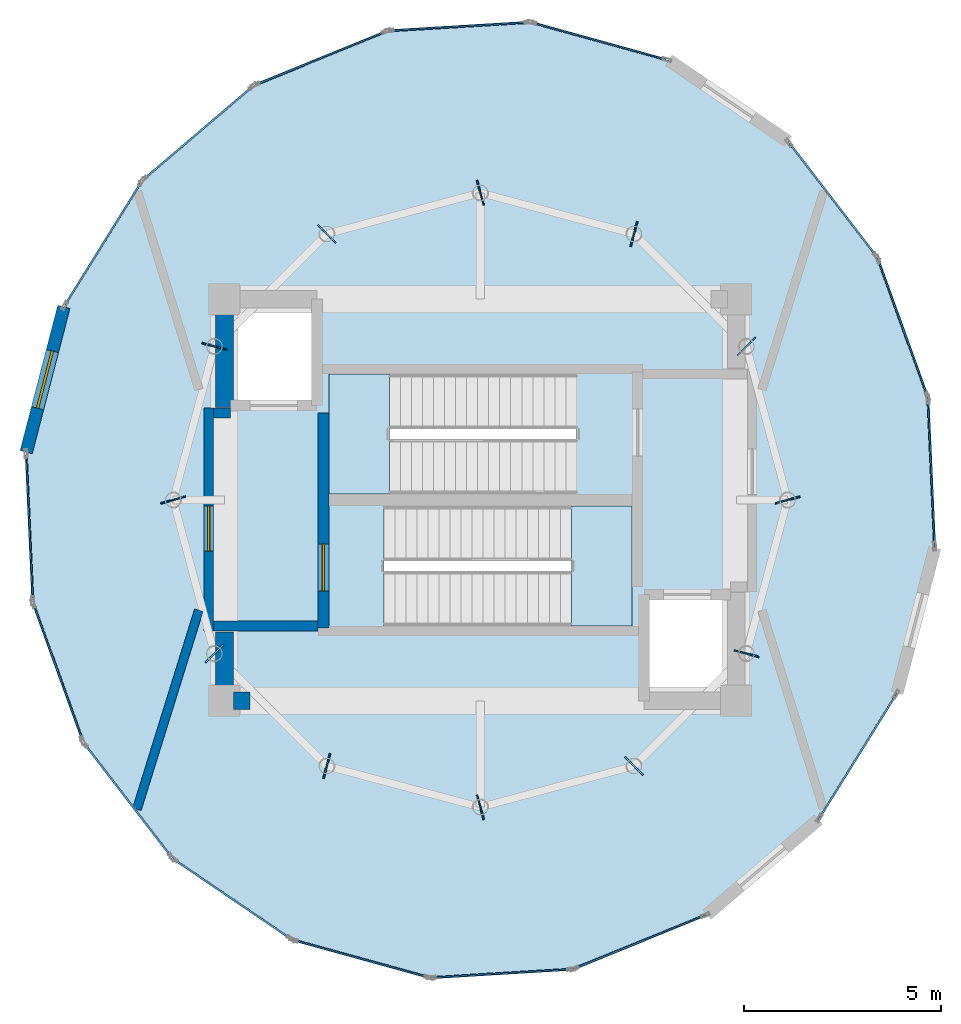
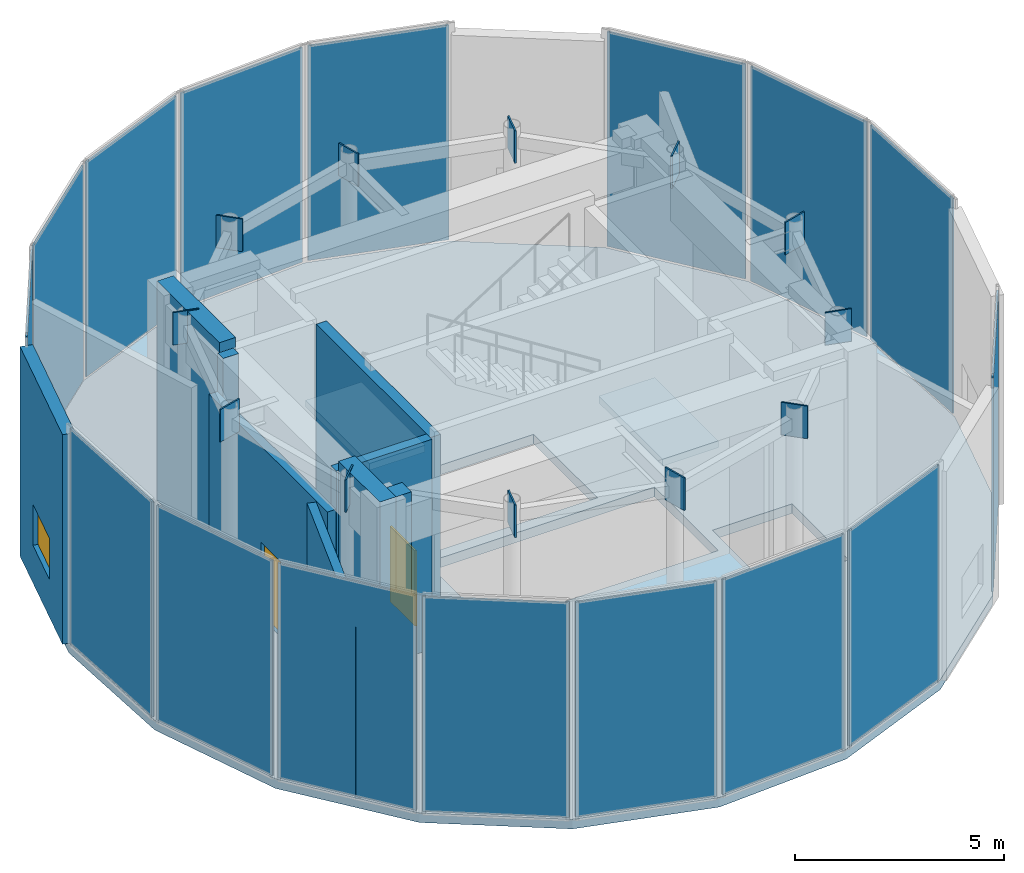
# One storey, part 7 of 9: 28 plates, 9 walls, 3 slabs, 2 doors, 1 window, 3 openings, 18 elements without a shape of their own.
"""IFC4 building model written with IfcOpenShell, lengths in metres."""

from ifc_helpers import new_model, si_unit, direction, frame, frame_2d, origin, origin_2d, place, context, subcontext, project, spatial, polyline, rectangle, outline, extrude, source, transform, mapped, material, layer, layer_set, type_object, element, fill, aggregate, save


model = new_model("IFC4")

# Units and contexts
model_context = context("Model", 3, precision=1e-05, world=origin(), true_north=direction((0.0, 1.0)))
body_context = subcontext(model_context, "Body", "Model", "MODEL_VIEW")
ifc_project = project(units=[si_unit("LENGTHUNIT", "METRE"), si_unit("AREAUNIT", "SQUARE_METRE"), si_unit("VOLUMEUNIT", "CUBIC_METRE"), si_unit("PLANEANGLEUNIT", "RADIAN"), si_unit("MASSUNIT", "GRAM", prefix="KILO")], contexts=[model_context])

# Site, building, storey
site_placement = place(None, origin())
site = spatial("IfcSite", under=ifc_project, at=site_placement, CompositionType="ELEMENT")
building_placement = place(site_placement, origin())
building = spatial("IfcBuilding", under=site, at=building_placement, Name="Solvirekh Grand Hotel", CompositionType="ELEMENT")
storey_placement = place(building_placement, frame((0.0, 0.0, 314.60009765625)))
storey = spatial("IfcBuildingStorey", under=building, at=storey_placement, Name="L80", CompositionType="ELEMENT", Elevation=314.60009765625)

# Stair, slab
ifc_material_1 = material(Name="Concrete C40/50", Category="concrete")
stair_type = type_object("IfcStairType", Name="Stair_Core_1450", PredefinedType="HALF_TURN_STAIR", material=ifc_material_1)
stair_1_placement = place(storey_placement, origin())
stair_1 = element("IfcStair", 1, at=stair_1_placement, inside=storey, type_object=stair_type, Name="L80 Enclosed exit stair ST-1", PredefinedType="HALF_TURN_STAIR")
ifc_layer_1 = layer(ifc_material_1, 0.199951171875)
ifc_layer_set_1 = layer_set([ifc_layer_1], Name="Concrete C40/50")
slab_type_1 = type_object("IfcSlabType", Name="Landing_Stair_200", PredefinedType="LANDING", material=ifc_layer_set_1)
slab_1_placement = place(storey_placement, frame((0.0, 0.0, 3.0)))
slab_1 = element("IfcSlab", 2, at=slab_1_placement, type_object=slab_type_1, Name="ST-1 landing 1", PredefinedType="LANDING", context=body_context, shape_type="SweptSolid", body=[
    extrude(outline(polyline([(2.31005859375, -3.199951171875), (3.85009765625, -3.199951171875), (3.85009765625, -0.14990234375), (2.31005859375, -0.14990234375), (2.31005859375, -3.199951171875)])), origin(), (0.0, 0.0, 1.0), 0.199951171875),
])
aggregate(stair_1, [slab_1])

stair_2_placement = place(storey_placement, origin())
stair_2 = element("IfcStair", 3, at=stair_2_placement, inside=storey, type_object=stair_type, Name="L80 Enclosed exit stair ST-2", PredefinedType="HALF_TURN_STAIR")
slab_2_placement = place(storey_placement, frame((0.0, 0.0, 3.0)))
slab_2 = element("IfcSlab", 4, at=slab_2_placement, type_object=slab_type_1, Name="ST-2 landing 1", PredefinedType="LANDING", context=body_context, shape_type="SweptSolid", body=[
    extrude(outline(polyline([(-2.31005859375, 3.199951171875), (-3.85009765625, 3.199951171875), (-3.85009765625, 0.14990234375), (-2.31005859375, 0.14990234375), (-2.31005859375, 3.199951171875)])), origin(), (0.0, 0.0, 1.0), 0.199951171875),
])
aggregate(stair_2, [slab_2])

# Plates
ifc_material_2 = material(Name="Steel S355", Category="steel")
ifc_layer_2 = layer(ifc_material_2, 0.0400390625)
ifc_layer_set_2 = layer_set([ifc_layer_2], Name="Steel S355")
plate_type_1 = type_object("IfcPlateType", Name="NodeCapPlate_40", PredefinedType="SHEET", material=ifc_layer_set_2)
for number, where, z_axis, x_axis, name in (
    (5, (7.800048828125, 0.0, 5.4697265625), (0.0, 0.0, 1.0), (-0.258819045103, 0.965925826289, 0.0), "L80 hollow-section node plate NP-L80-SP01"),
    (6, (6.7548828125, 3.89990234375, 5.4697265625), (0.0, 0.0, 1.0), (-0.707106781187, 0.707106781187, 0.0), "L80 hollow-section node plate NP-L80-SP02"),
    (7, (3.89990234375, 6.7548828125, 5.4697265625), (0.0, 0.0, 1.0), (-0.965925826289, 0.258819045103, 0.0), "L80 hollow-section node plate NP-L80-SP03"),
    (8, (0.0, 7.800048828125, 5.4697265625), (0.0, 0.0, 1.0), (-0.965925826289, -0.258819045103, 0.0), "L80 hollow-section node plate NP-L80-SP04"),
    (9, (-3.89990234375, 6.7548828125, 5.4697265625), (0.0, 0.0, 1.0), (-0.707106781187, -0.707106781187, 0.0), "L80 hollow-section node plate NP-L80-SP05"),
    (10, (-6.7548828125, 3.89990234375, 5.4697265625), (0.0, 0.0, 1.0), (-0.258819045103, -0.965925826289, 0.0), "L80 hollow-section node plate NP-L80-SP06"),
    (11, (-7.800048828125, 0.0, 5.4697265625), (0.0, 0.0, 1.0), (0.258819045103, -0.965925826289, 0.0), "L80 hollow-section node plate NP-L80-SP07"),
    (12, (-6.7548828125, -3.89990234375, 5.4697265625), (0.0, 0.0, 1.0), (0.707106781187, -0.707106781187, 0.0), "L80 hollow-section node plate NP-L80-SP08"),
    (13, (-3.89990234375, -6.7548828125, 5.4697265625), (0.0, 0.0, 1.0), (0.965925826289, -0.258819045103, 0.0), "L80 hollow-section node plate NP-L80-SP09"),
    (14, (0.0, -7.800048828125, 5.4697265625), (0.0, 0.0, 1.0), (0.965925826289, 0.258819045103, 0.0), "L80 hollow-section node plate NP-L80-SP10"),
    (15, (3.89990234375, -6.7548828125, 5.4697265625), (0.0, 0.0, 1.0), (0.707106781187, 0.707106781187, 0.0), "L80 hollow-section node plate NP-L80-SP11"),
    (16, (6.7548828125, -3.89990234375, 5.4697265625), (0.0, 0.0, 1.0), (0.258819045103, 0.965925826289, 0.0), "L80 hollow-section node plate NP-L80-SP12"),
):
    element("IfcPlate", number, at=place(storey_placement, frame(where, z_axis=z_axis, x_axis=x_axis)), inside=storey, type_object=plate_type_1, Name=name, PredefinedType="SHEET", context=body_context, shape_type="SweptSolid", body=[
        extrude(rectangle(XDim=0.0400390625, YDim=0.64990234375, at=origin_2d()), origin(), (0.0, 0.0, 1.0), 0.949951171875),
    ])

# Slab
ifc_layer_3 = layer(ifc_material_1, 0.280029296875)
ifc_layer_set_3 = layer_set([ifc_layer_3], Name="Concrete C40/50")
slab_type_2 = type_object("IfcSlabType", Name="Slab_Crown_280", PredefinedType="FLOOR", material=ifc_layer_set_3)
slab_3_placement = place(storey_placement, frame((0.0, 0.0, -0.280029296875)))
element("IfcSlab", 17, at=slab_3_placement, inside=storey, type_object=slab_type_2, Name="L80 structural floor slab", PredefinedType="FLOOR", context=body_context, shape_type="SweptSolid", body=[
    extrude(outline(polyline([(-1.27490234375, -12.133056640625), (2.35205078125, -11.9140625), (5.7490234375, -10.529052734375), (8.583984375, -8.113037109375), (10.577880859375, -4.903076171875), (11.535888671875, -1.212890625), (11.365966796875, 2.595947265625), (10.0830078125, 6.15087890625), (7.81298828125, 9.10302734375), (4.778076171875, 11.1650390625), (1.27490234375, 12.133056640625), (-2.35205078125, 11.9140625), (-5.7490234375, 10.529052734375), (-8.583984375, 8.113037109375), (-10.577880859375, 4.903076171875), (-11.535888671875, 1.212890625), (-11.365966796875, -2.595947265625), (-10.0830078125, -6.15087890625), (-7.81298828125, -9.10302734375), (-4.778076171875, -11.1650390625), (-1.27490234375, -12.133056640625)]), holes=[polyline([(-2.444091796875, -0.14990234375), (3.85009765625, -0.14990234375), (3.85009765625, -3.199951171875), (-2.444091796875, -3.199951171875), (-2.444091796875, -0.14990234375)]), polyline([(2.444091796875, 0.14990234375), (-3.85009765625, 0.14990234375), (-3.85009765625, 3.199951171875), (2.444091796875, 3.199951171875), (2.444091796875, 0.14990234375)]), polyline([(-6.35009765625, 5.10009765625), (-4.14990234375, 5.10009765625), (-4.14990234375, 2.39990234375), (-6.35009765625, 2.39990234375), (-6.35009765625, 5.10009765625)]), polyline([(4.14990234375, -2.39990234375), (6.35009765625, -2.39990234375), (6.35009765625, -5.10009765625), (4.14990234375, -5.10009765625), (4.14990234375, -2.39990234375)])]), origin(), (0.0, 0.0, 1.0), 0.280029296875),
])

# Curtain wall, plate
ifc_material_3 = material(Name="Anodized Bronze Aluminium 6063-T6", Category="aluminium")
ifc_layer_4 = layer(ifc_material_3, 0.219970703125)
ifc_layer_set_4 = layer_set([ifc_layer_4], Name="Anodized Bronze Aluminium 6063-T6")
curtain_wall_type = type_object("IfcCurtainWallType", Name="CW_Sys6_CrownFacetedPointCW", PredefinedType="NOTDEFINED", material=ifc_layer_set_4)
curtain_wall_1_placement = place(storey_placement, origin())
curtain_wall_1 = element("IfcCurtainWall", 18, at=curtain_wall_1_placement, inside=storey, type_object=curtain_wall_type, Name="L80 unitised bronze-glass curtain wall CW-L80-C01", PredefinedType="NOTDEFINED")
ifc_material_4 = material(Name="Champagne Low-Iron Crown Laminated Glass", Category="glass")
ifc_layer_5 = layer(ifc_material_4, 0.0458984375)
ifc_layer_set_5 = layer_set([ifc_layer_5], Name="Champagne Low-Iron Crown Laminated Glass")
plate_type_2 = type_object("IfcPlateType", Name="CWPanel_Crown_46", PredefinedType="CURTAIN_PANEL", material=ifc_layer_set_5)
shared_shape_1 = source(origin(), body_context, "Body", "SweptSolid", [
    extrude(rectangle(XDim=3.483642578125, YDim=0.0458984375, at=origin_2d()), origin(), (0.0, 0.0, 1.0), 6.27001953125),
])
plate_1_placement = place(storey_placement, frame((0.53857421875, -12.0234375, 0.06494140625), z_axis=(0.0, 0.0, 1.0), x_axis=(0.998182068191, 0.060270712136, 0.0)))
plate_1 = element("IfcPlate", 19, at=plate_1_placement, type_object=plate_type_2, Name="U06 panel 1.1", PredefinedType="CURTAIN_PANEL", context=body_context, shape_type="MappedRepresentation", body=[
    mapped(shared_shape_1, transform((0.0, 0.0, 0.0), x_axis=(1.0, 0.0, 0.0), y_axis=(0.0, 1.0, 0.0), z_axis=(0.0, 0.0, 1.0), scale=1.0)),
])
aggregate(curtain_wall_1, [plate_1])

curtain_wall_2_placement = place(storey_placement, origin())
curtain_wall_2 = element("IfcCurtainWall", 20, at=curtain_wall_2_placement, inside=storey, type_object=curtain_wall_type, Name="L80 unitised bronze-glass curtain wall CW-L80-C11", PredefinedType="NOTDEFINED")
plate_2_placement = place(storey_placement, frame((-0.53857421875, 12.0234375, 0.06494140625), z_axis=(0.0, 0.0, 1.0), x_axis=(-0.998182068191, -0.060270712136, 0.0)))
plate_2 = element("IfcPlate", 21, at=plate_2_placement, type_object=plate_type_2, Name="U06 panel 1.1", PredefinedType="CURTAIN_PANEL", context=body_context, shape_type="MappedRepresentation", body=[
    mapped(shared_shape_1, transform((0.0, 0.0, 0.0), x_axis=(1.0, 0.0, 0.0), y_axis=(0.0, 1.0, 0.0), z_axis=(0.0, 0.0, 1.0), scale=1.0)),
])
aggregate(curtain_wall_2, [plate_2])

curtain_wall_3_placement = place(storey_placement, origin())
curtain_wall_3 = element("IfcCurtainWall", 22, at=curtain_wall_3_placement, inside=storey, type_object=curtain_wall_type, Name="L80 unitised bronze-glass curtain wall CW-L80-C02", PredefinedType="NOTDEFINED")
shared_shape_2 = source(origin(), body_context, "Body", "SweptSolid", [
    extrude(rectangle(XDim=3.5185546875, YDim=0.0458984375, at=origin_2d()), origin(), (0.0, 0.0, 1.0), 6.27001953125),
])
plate_3_placement = place(storey_placement, frame((4.050537109375, -11.221435546875, 0.06494140625), z_axis=(0.0, 0.0, 1.0), x_axis=(0.92599355368, 0.377539320526, 0.0)))
plate_3 = element("IfcPlate", 23, at=plate_3_placement, type_object=plate_type_2, Name="U06 panel 1.1", PredefinedType="CURTAIN_PANEL", context=body_context, shape_type="MappedRepresentation", body=[
    mapped(shared_shape_2, transform((0.0, 0.0, 0.0), x_axis=(1.0, 0.0, 0.0), y_axis=(0.0, 1.0, 0.0), z_axis=(0.0, 0.0, 1.0), scale=1.0)),
])
aggregate(curtain_wall_3, [plate_3])

curtain_wall_4_placement = place(storey_placement, origin())
curtain_wall_4 = element("IfcCurtainWall", 24, at=curtain_wall_4_placement, inside=storey, type_object=curtain_wall_type, Name="L80 unitised bronze-glass curtain wall CW-L80-C12", PredefinedType="NOTDEFINED")
plate_4_placement = place(storey_placement, frame((-4.050537109375, 11.221435546875, 0.06494140625), z_axis=(0.0, 0.0, 1.0), x_axis=(-0.92599355368, -0.377539320526, 0.0)))
plate_4 = element("IfcPlate", 25, at=plate_4_placement, type_object=plate_type_2, Name="U06 panel 1.1", PredefinedType="CURTAIN_PANEL", context=body_context, shape_type="MappedRepresentation", body=[
    mapped(shared_shape_2, transform((0.0, 0.0, 0.0), x_axis=(1.0, 0.0, 0.0), y_axis=(0.0, 1.0, 0.0), z_axis=(0.0, 0.0, 1.0), scale=1.0)),
])
aggregate(curtain_wall_4, [plate_4])

curtain_wall_5_placement = place(storey_placement, origin())
curtain_wall_5 = element("IfcCurtainWall", 26, at=curtain_wall_5_placement, inside=storey, type_object=curtain_wall_type, Name="L80 unitised bronze-glass curtain wall CW-L80-C04", PredefinedType="NOTDEFINED")
shared_shape_3 = source(origin(), body_context, "Body", "SweptSolid", [
    extrude(rectangle(XDim=3.62890625, YDim=0.0458984375, at=origin_2d()), origin(), (0.0, 0.0, 1.0), 6.27001953125),
])
plate_5_placement = place(storey_placement, frame((9.5810546875, -6.508056640625, 0.06494140625), z_axis=(0.0, 0.0, 1.0), x_axis=(0.527665842961, 0.849452034062, 0.0)))
plate_5 = element("IfcPlate", 27, at=plate_5_placement, type_object=plate_type_2, Name="U06 panel 1.1", PredefinedType="CURTAIN_PANEL", context=body_context, shape_type="MappedRepresentation", body=[
    mapped(shared_shape_3, transform((0.0, 0.0, 0.0), x_axis=(1.0, 0.0, 0.0), y_axis=(0.0, 1.0, 0.0), z_axis=(0.0, 0.0, 1.0), scale=1.0)),
])
aggregate(curtain_wall_5, [plate_5])

curtain_wall_6_placement = place(storey_placement, origin())
curtain_wall_6 = element("IfcCurtainWall", 28, at=curtain_wall_6_placement, inside=storey, type_object=curtain_wall_type, Name="L80 unitised bronze-glass curtain wall CW-L80-C14", PredefinedType="NOTDEFINED")
plate_6_placement = place(storey_placement, frame((-9.5810546875, 6.508056640625, 0.06494140625), z_axis=(0.0, 0.0, 1.0), x_axis=(-0.527665842961, -0.849452034062, 0.0)))
plate_6 = element("IfcPlate", 29, at=plate_6_placement, type_object=plate_type_2, Name="U06 panel 1.1", PredefinedType="CURTAIN_PANEL", context=body_context, shape_type="MappedRepresentation", body=[
    mapped(shared_shape_3, transform((0.0, 0.0, 0.0), x_axis=(1.0, 0.0, 0.0), y_axis=(0.0, 1.0, 0.0), z_axis=(0.0, 0.0, 1.0), scale=1.0)),
])
aggregate(curtain_wall_6, [plate_6])

curtain_wall_7_placement = place(storey_placement, origin())
curtain_wall_7 = element("IfcCurtainWall", 30, at=curtain_wall_7_placement, inside=storey, type_object=curtain_wall_type, Name="L80 unitised bronze-glass curtain wall CW-L80-C06", PredefinedType="NOTDEFINED")
shared_shape_4 = source(origin(), body_context, "Body", "SweptSolid", [
    extrude(rectangle(XDim=3.662841796875, YDim=0.0458984375, at=origin_2d()), origin(), (0.0, 0.0, 1.0), 6.27001953125),
])
plate_7_placement = place(storey_placement, frame((11.450927734375, 0.69140625, 0.06494140625), z_axis=(0.0, 0.0, 1.0), x_axis=(-0.044586751848, 0.999005516281, 0.0)))
plate_7 = element("IfcPlate", 31, at=plate_7_placement, type_object=plate_type_2, Name="U06 panel 1.1", PredefinedType="CURTAIN_PANEL", context=body_context, shape_type="MappedRepresentation", body=[
    mapped(shared_shape_4, transform((0.0, 0.0, 0.0), x_axis=(1.0, 0.0, 0.0), y_axis=(0.0, 1.0, 0.0), z_axis=(0.0, 0.0, 1.0), scale=1.0)),
])
aggregate(curtain_wall_7, [plate_7])

curtain_wall_8_placement = place(storey_placement, origin())
curtain_wall_8 = element("IfcCurtainWall", 32, at=curtain_wall_8_placement, inside=storey, type_object=curtain_wall_type, Name="L80 unitised bronze-glass curtain wall CW-L80-C16", PredefinedType="NOTDEFINED")
plate_8_placement = place(storey_placement, frame((-11.450927734375, -0.69140625, 0.06494140625), z_axis=(0.0, 0.0, 1.0), x_axis=(0.044586751848, -0.999005516281, 0.0)))
plate_8 = element("IfcPlate", 33, at=plate_8_placement, type_object=plate_type_2, Name="U06 panel 1.1", PredefinedType="CURTAIN_PANEL", context=body_context, shape_type="MappedRepresentation", body=[
    mapped(shared_shape_4, transform((0.0, 0.0, 0.0), x_axis=(1.0, 0.0, 0.0), y_axis=(0.0, 1.0, 0.0), z_axis=(0.0, 0.0, 1.0), scale=1.0)),
])
aggregate(curtain_wall_8, [plate_8])

curtain_wall_9_placement = place(storey_placement, origin())
curtain_wall_9 = element("IfcCurtainWall", 34, at=curtain_wall_9_placement, inside=storey, type_object=curtain_wall_type, Name="L80 unitised bronze-glass curtain wall CW-L80-C07", PredefinedType="NOTDEFINED")
shared_shape_5 = source(origin(), body_context, "Body", "SweptSolid", [
    extrude(rectangle(XDim=3.62939453125, YDim=0.0458984375, at=origin_2d()), origin(), (0.0, 0.0, 1.0), 6.27001953125),
])
plate_9_placement = place(storey_placement, frame((10.724609375, 4.37353515625, 0.06494140625), z_axis=(0.0, 0.0, 1.0), x_axis=(-0.339468907399, 0.940617276531, 0.0)))
plate_9 = element("IfcPlate", 35, at=plate_9_placement, type_object=plate_type_2, Name="U06 panel 1.1", PredefinedType="CURTAIN_PANEL", context=body_context, shape_type="MappedRepresentation", body=[
    mapped(shared_shape_5, transform((0.0, 0.0, 0.0), x_axis=(1.0, 0.0, 0.0), y_axis=(0.0, 1.0, 0.0), z_axis=(0.0, 0.0, 1.0), scale=1.0)),
])
aggregate(curtain_wall_9, [plate_9])

curtain_wall_10_placement = place(storey_placement, origin())
curtain_wall_10 = element("IfcCurtainWall", 36, at=curtain_wall_10_placement, inside=storey, type_object=curtain_wall_type, Name="L80 unitised bronze-glass curtain wall CW-L80-C17", PredefinedType="NOTDEFINED")
plate_10_placement = place(storey_placement, frame((-10.724609375, -4.37353515625, 0.06494140625), z_axis=(0.0, 0.0, 1.0), x_axis=(0.339468907399, -0.940617276531, 0.0)))
plate_10 = element("IfcPlate", 37, at=plate_10_placement, type_object=plate_type_2, Name="U06 panel 1.1", PredefinedType="CURTAIN_PANEL", context=body_context, shape_type="MappedRepresentation", body=[
    mapped(shared_shape_5, transform((0.0, 0.0, 0.0), x_axis=(1.0, 0.0, 0.0), y_axis=(0.0, 1.0, 0.0), z_axis=(0.0, 0.0, 1.0), scale=1.0)),
])
aggregate(curtain_wall_10, [plate_10])

curtain_wall_11_placement = place(storey_placement, origin())
curtain_wall_11 = element("IfcCurtainWall", 38, at=curtain_wall_11_placement, inside=storey, type_object=curtain_wall_type, Name="L80 unitised bronze-glass curtain wall CW-L80-C08", PredefinedType="NOTDEFINED")
shared_shape_6 = source(origin(), body_context, "Body", "SweptSolid", [
    extrude(rectangle(XDim=3.573974609375, YDim=0.0458984375, at=origin_2d()), origin(), (0.0, 0.0, 1.0), 6.27001953125),
])
plate_11_placement = place(storey_placement, frame((8.947998046875, 7.626953125, 0.06494140625), z_axis=(0.0, 0.0, 1.0), x_axis=(-0.609580976008, 0.792723806687, 0.0)))
plate_11 = element("IfcPlate", 39, at=plate_11_placement, type_object=plate_type_2, Name="U06 panel 1.1", PredefinedType="CURTAIN_PANEL", context=body_context, shape_type="MappedRepresentation", body=[
    mapped(shared_shape_6, transform((0.0, 0.0, 0.0), x_axis=(1.0, 0.0, 0.0), y_axis=(0.0, 1.0, 0.0), z_axis=(0.0, 0.0, 1.0), scale=1.0)),
])
aggregate(curtain_wall_11, [plate_11])

curtain_wall_12_placement = place(storey_placement, origin())
curtain_wall_12 = element("IfcCurtainWall", 40, at=curtain_wall_12_placement, inside=storey, type_object=curtain_wall_type, Name="L80 unitised bronze-glass curtain wall CW-L80-C18", PredefinedType="NOTDEFINED")
plate_12_placement = place(storey_placement, frame((-8.947998046875, -7.626953125, 0.06494140625), z_axis=(0.0, 0.0, 1.0), x_axis=(0.609580976008, -0.792723806687, 0.0)))
plate_12 = element("IfcPlate", 41, at=plate_12_placement, type_object=plate_type_2, Name="U06 panel 1.1", PredefinedType="CURTAIN_PANEL", context=body_context, shape_type="MappedRepresentation", body=[
    mapped(shared_shape_6, transform((0.0, 0.0, 0.0), x_axis=(1.0, 0.0, 0.0), y_axis=(0.0, 1.0, 0.0), z_axis=(0.0, 0.0, 1.0), scale=1.0)),
])
aggregate(curtain_wall_12, [plate_12])

curtain_wall_13_placement = place(storey_placement, origin())
curtain_wall_13 = element("IfcCurtainWall", 42, at=curtain_wall_13_placement, inside=storey, type_object=curtain_wall_type, Name="L80 unitised bronze-glass curtain wall CW-L80-C10", PredefinedType="NOTDEFINED")
shared_shape_7 = source(origin(), body_context, "Body", "SweptSolid", [
    extrude(rectangle(XDim=3.484375, YDim=0.0458984375, at=origin_2d()), origin(), (0.0, 0.0, 1.0), 6.27001953125),
])
plate_13_placement = place(storey_placement, frame((3.026611328125, 11.64892578125, 0.06494140625), z_axis=(0.0, 0.0, 1.0), x_axis=(-0.963875773503, 0.266352197766, 0.0)))
plate_13 = element("IfcPlate", 43, at=plate_13_placement, type_object=plate_type_2, Name="U06 panel 1.1", PredefinedType="CURTAIN_PANEL", context=body_context, shape_type="MappedRepresentation", body=[
    mapped(shared_shape_7, transform((0.0, 0.0, 0.0), x_axis=(1.0, 0.0, 0.0), y_axis=(0.0, 1.0, 0.0), z_axis=(0.0, 0.0, 1.0), scale=1.0)),
])
aggregate(curtain_wall_13, [plate_13])

curtain_wall_14_placement = place(storey_placement, origin())
curtain_wall_14 = element("IfcCurtainWall", 44, at=curtain_wall_14_placement, inside=storey, type_object=curtain_wall_type, Name="L80 unitised bronze-glass curtain wall CW-L80-C20", PredefinedType="NOTDEFINED")
plate_14_placement = place(storey_placement, frame((-3.026611328125, -11.64892578125, 0.06494140625), z_axis=(0.0, 0.0, 1.0), x_axis=(0.963875773503, -0.266352197766, 0.0)))
plate_14 = element("IfcPlate", 45, at=plate_14_placement, type_object=plate_type_2, Name="U06 panel 1.1", PredefinedType="CURTAIN_PANEL", context=body_context, shape_type="MappedRepresentation", body=[
    mapped(shared_shape_7, transform((0.0, 0.0, 0.0), x_axis=(1.0, 0.0, 0.0), y_axis=(0.0, 1.0, 0.0), z_axis=(0.0, 0.0, 1.0), scale=1.0)),
])
aggregate(curtain_wall_14, [plate_14])

curtain_wall_15_placement = place(storey_placement, origin())
curtain_wall_15 = element("IfcCurtainWall", 46, at=curtain_wall_15_placement, inside=storey, type_object=curtain_wall_type, Name="L80 unitised bronze-glass curtain wall CW-L80-C13", PredefinedType="NOTDEFINED")
shared_shape_8 = source(origin(), body_context, "Body", "SweptSolid", [
    extrude(rectangle(XDim=3.57470703125, YDim=0.0458984375, at=origin_2d()), origin(), (0.0, 0.0, 1.0), 6.27001953125),
])
plate_15_placement = place(storey_placement, frame((-7.16650390625, 9.321044921875, 0.06494140625), z_axis=(0.0, 0.0, 1.0), x_axis=(-0.761110687179, -0.648622017713, 0.0)))
plate_15 = element("IfcPlate", 47, at=plate_15_placement, type_object=plate_type_2, Name="U06 panel 1.1", PredefinedType="CURTAIN_PANEL", context=body_context, shape_type="MappedRepresentation", body=[
    mapped(shared_shape_8, transform((0.0, 0.0, 0.0), x_axis=(1.0, 0.0, 0.0), y_axis=(0.0, 1.0, 0.0), z_axis=(0.0, 0.0, 1.0), scale=1.0)),
])
aggregate(curtain_wall_15, [plate_15])

curtain_wall_16_placement = place(storey_placement, origin())
curtain_wall_16 = element("IfcCurtainWall", 48, at=curtain_wall_16_placement, inside=storey, type_object=curtain_wall_type, Name="L80 unitised bronze-glass curtain wall CW-L80-C19", PredefinedType="NOTDEFINED")
shared_shape_9 = source(origin(), body_context, "Body", "SweptSolid", [
    extrude(rectangle(XDim=3.519287109375, YDim=0.0458984375, at=origin_2d()), origin(), (0.0, 0.0, 1.0), 6.27001953125),
])
plate_16_placement = place(storey_placement, frame((-6.29541015625, -10.134033203125, 0.06494140625), z_axis=(0.0, 0.0, 1.0), x_axis=(0.827154543439, -0.561974520124, 0.0)))
plate_16 = element("IfcPlate", 49, at=plate_16_placement, type_object=plate_type_2, Name="U06 panel 1.1", PredefinedType="CURTAIN_PANEL", context=body_context, shape_type="MappedRepresentation", body=[
    mapped(shared_shape_9, transform((0.0, 0.0, 0.0), x_axis=(1.0, 0.0, 0.0), y_axis=(0.0, 1.0, 0.0), z_axis=(0.0, 0.0, 1.0), scale=1.0)),
])
aggregate(curtain_wall_16, [plate_16])

# Wall, opening, door
ifc_layer_6 = layer(ifc_material_1, 0.280029296875)
ifc_layer_set_6 = layer_set([ifc_layer_6], Name="Concrete C40/50")
wall_type_1 = type_object("IfcWallType", Name="CoreShaftWall_RC280", PredefinedType="SOLIDWALL", material=ifc_layer_set_6)
wall_1_placement = place(storey_placement, frame((-3.989990234375, -3.25, 0.0), z_axis=(0.0, 0.0, 1.0), x_axis=(0.0, 1.0, 0.0)))
wall_1 = element("IfcWall", 50, at=wall_1_placement, inside=storey, type_object=wall_type_1, Name="L80 west stair landing enclosure wall", PredefinedType="SOLIDWALL", context=body_context, shape_type="SweptSolid", body=[
    extrude(rectangle(XDim=5.4599609375, YDim=0.280029296875, at=frame_2d((2.72998046875, 0.0))), origin(), (0.0, 0.0, 1.0), 6.119873046875),
])
opening_1_placement = place(wall_1_placement, frame((0.93701171875, 0.0, 0.0)))
opening_1 = element("IfcOpeningElement", 51, at=opening_1_placement, cuts=wall_1, Name="Opening D05", PredefinedType="OPENING", context=body_context, shape_type="SweptSolid", body=[
    extrude(rectangle(XDim=1.199951171875, YDim=2.199951171875, at=frame_2d((0.60009765625, 1.10009765625))), frame((0.0, 0.14990234375, 0.0), z_axis=(0.0, -1.0, 0.0), x_axis=(1.0, 0.0, 0.0)), (0.0, 0.0, 1.0), 0.300048828125),
])
ifc_material_5 = material(Name="Fire-Rated Steel Door Assembly", Category="steel")
door_type_1 = type_object("IfcDoorType", Name="Door_StairCore_1200X2200", OperationType="NOTDEFINED", PredefinedType="DOOR", material=ifc_material_5)
door_1_placement = place(opening_1_placement, origin())
door_1 = element("IfcDoor", 52, at=door_1_placement, inside=storey, type_object=door_type_1, Name="L80 exit stair ST-1 fire door", OperationType="SINGLE_SWING_RIGHT", OverallHeight=2.199951171875, OverallWidth=1.199951171875, PredefinedType="DOOR", context=body_context, shape_type="SweptSolid", body=[
    extrude(rectangle(XDim=1.199951171875, YDim=2.199951171875, at=frame_2d((0.60009765625, 1.10009765625))), frame((0.0, 0.02490234375, 0.0), z_axis=(0.0, -1.0, 0.0), x_axis=(1.0, 0.0, 0.0)), (0.0, 0.0, 1.0), 0.050048828125),
])
fill(opening_1, door_1)

# Walls
ifc_material_6 = material(Name="Concrete C50/60", Category="concrete")
ifc_layer_7 = layer(ifc_material_6, 0.449951171875)
ifc_layer_set_7 = layer_set([ifc_layer_7], Name="Concrete C50/60")
wall_type_2 = type_object("IfcWallType", Name="CoreWall_RC450", PredefinedType="SHEAR", material=ifc_layer_set_7)
wall_2_placement = place(storey_placement, frame((-6.27490234375, -5.10009765625, 0.0), z_axis=(0.0, 0.0, 1.0), x_axis=(1.0, 0.0, 0.0)))
element("IfcWall", 53, at=wall_2_placement, inside=storey, type_object=wall_type_2, Name="L80 core corner shear wall SW-S", PredefinedType="SHEAR", context=body_context, shape_type="SweptSolid", body=[
    extrude(rectangle(XDim=0.4248046875, YDim=0.449951171875, at=frame_2d((0.21240234375, 0.0))), origin(), (0.0, 0.0, 1.0), 6.39990234375),
])
wall_3_placement = place(storey_placement, frame((-6.5, 2.35009765625, 0.0), z_axis=(0.0, 0.0, 1.0), x_axis=(0.0, 1.0, 0.0)))
element("IfcWall", 54, at=wall_3_placement, inside=storey, type_object=wall_type_2, Name="L80 core corner shear wall WN-W", PredefinedType="SHEAR", context=body_context, shape_type="SweptSolid", body=[
    extrude(rectangle(XDim=2.974853515625, YDim=0.449951171875, at=frame_2d((1.4873046875, 0.0))), origin(), (0.0, 0.0, 1.0), 6.39990234375),
])
wall_4_placement = place(storey_placement, frame((-6.5, -5.324951171875, 0.0), z_axis=(0.0, 0.0, 1.0), x_axis=(0.0, 1.0, 0.0)))
element("IfcWall", 55, at=wall_4_placement, inside=storey, type_object=wall_type_2, Name="L80 core corner shear wall WS-W", PredefinedType="SHEAR", context=body_context, shape_type="SweptSolid", body=[
    extrude(rectangle(XDim=1.974853515625, YDim=0.449951171875, at=frame_2d((0.9873046875, 0.0))), origin(), (0.0, 0.0, 1.0), 6.39990234375),
])

# Wall, opening, window
ifc_material_7 = material(Name="Precast concrete C45/55", Category="concrete")
ifc_layer_8 = layer(ifc_material_7, 0.320068359375)
ifc_layer_set_8 = layer_set([ifc_layer_8], Name="Precast concrete C45/55")
wall_type_3 = type_object("IfcWallType", Name="ExtLobbyWall_RC320", PredefinedType="SOLIDWALL", material=ifc_layer_set_8)
wall_5_placement = place(storey_placement, frame((-11.535888671875, 1.212890625, 0.0), z_axis=(0.0, 0.0, 1.0), x_axis=(0.2512799417, 0.967914454329, 0.0)))
wall_5 = element("IfcWall", 56, at=wall_5_placement, inside=storey, type_object=wall_type_3, Name="L80 exterior structural wall chord 15", PredefinedType="SOLIDWALL", context=body_context, shape_type="SweptSolid", body=[
    extrude(rectangle(XDim=3.8125, YDim=0.320068359375, at=frame_2d((1.90625, 0.0))), origin(), (0.0, 0.0, 1.0), 6.119873046875),
])
opening_2_placement = place(wall_5_placement, frame((1.156005859375, 0.0, 1.10009765625)))
opening_2 = element("IfcOpeningElement", 57, at=opening_2_placement, cuts=wall_5, Name="Opening W05", PredefinedType="OPENING", context=body_context, shape_type="SweptSolid", body=[
    extrude(rectangle(XDim=1.5, YDim=1.199951171875, at=frame_2d((0.75, 0.60009765625))), frame((0.0, 0.169921875, 0.0), z_axis=(0.0, -1.0, 0.0), x_axis=(1.0, 0.0, 0.0)), (0.0, 0.0, 1.0), 0.340087890625),
])
ifc_material_8 = material(Name="Low-E Tinted Bronze Laminated Glass", Category="aluminium")
window_type = type_object("IfcWindowType", Name="Win_PlantVent_1500X1200", PartitioningType="SINGLE_PANEL", PredefinedType="WINDOW", material=ifc_material_8)
window_placement = place(opening_2_placement, origin())
window = element("IfcWindow", 58, at=window_placement, inside=storey, type_object=window_type, Name="L80 mechanical louvre window 15", OverallHeight=1.199951171875, OverallWidth=1.5, PartitioningType="SINGLE_PANEL", PredefinedType="WINDOW", context=body_context, shape_type="SweptSolid", body=[
    extrude(rectangle(XDim=1.5, YDim=1.199951171875, at=frame_2d((0.75, 0.60009765625))), frame((0.0, 0.030029296875, 0.0), z_axis=(0.0, -1.0, 0.0), x_axis=(1.0, 0.0, 0.0)), (0.0, 0.0, 1.0), 0.06005859375),
])
fill(opening_2, window)

# Wall, opening, door
ifc_material_9 = material(Name="Acoustic Gypsum Partition Assembly")
ifc_layer_9 = layer(ifc_material_9, 0.239990234375)
ifc_layer_set_9 = layer_set([ifc_layer_9], Name="Acoustic Gypsum Partition Assembly")
wall_type_4 = type_object("IfcWallType", Name="Part_Corridor_240", PredefinedType="PARTITIONING", material=ifc_layer_set_9)
wall_6_placement = place(storey_placement, frame((-6.89990234375, -3.330078125, 0.0), z_axis=(0.0, 0.0, 1.0), x_axis=(0.0, 1.0, 0.0)))
wall_6 = element("IfcWall", 59, at=wall_6_placement, inside=storey, type_object=wall_type_4, Name="L80 west firefighting lobby smoke screen wall", PredefinedType="PARTITIONING", context=body_context, shape_type="SweptSolid", body=[
    extrude(rectangle(XDim=5.670166015625, YDim=0.239990234375, at=frame_2d((2.8349609375, 0.0))), origin(), (0.0, 0.0, 1.0), 5.0048828125),
])
opening_3_placement = place(wall_6_placement, frame((2.033935546875, 0.0, 0.0)))
opening_3 = element("IfcOpeningElement", 60, at=opening_3_placement, cuts=wall_6, Name="Opening D06", PredefinedType="OPENING", context=body_context, shape_type="SweptSolid", body=[
    extrude(rectangle(XDim=1.14990234375, YDim=2.199951171875, at=frame_2d((0.574951171875, 1.10009765625))), frame((0.0, 0.1298828125, 0.0), z_axis=(0.0, -1.0, 0.0), x_axis=(1.0, 0.0, 0.0)), (0.0, 0.0, 1.0), 0.260009765625),
])
door_type_2 = type_object("IfcDoorType", Name="Door_FFLobby_1150X2200", OperationType="NOTDEFINED", PredefinedType="DOOR", material=ifc_material_5)
door_2_placement = place(opening_3_placement, origin())
door_2 = element("IfcDoor", 61, at=door_2_placement, inside=storey, type_object=door_type_2, Name="L80 west firefighting lobby smoke door", OperationType="SINGLE_SWING_RIGHT", OverallHeight=2.199951171875, OverallWidth=1.14990234375, PredefinedType="DOOR", context=body_context, shape_type="SweptSolid", body=[
    extrude(rectangle(XDim=1.14990234375, YDim=2.199951171875, at=frame_2d((0.574951171875, 1.10009765625))), frame((0.0, 0.02490234375, 0.0), z_axis=(0.0, -1.0, 0.0), x_axis=(1.0, 0.0, 0.0)), (0.0, 0.0, 1.0), 0.050048828125),
])
fill(opening_3, door_2)

# Walls
ifc_layer_10 = layer(ifc_material_9, 0.260009765625)
ifc_layer_set_10 = layer_set([ifc_layer_10], Name="Acoustic Gypsum Partition Assembly")
wall_type_5 = type_object("IfcWallType", Name="Part_LobbyFF_260", PredefinedType="PARTITIONING", material=ifc_layer_set_10)
wall_7_placement = place(storey_placement, frame((-6.77490234375, -3.199951171875, 0.0), z_axis=(0.0, 0.0, 1.0), x_axis=(1.0, 0.0, 0.0)))
element("IfcWall", 62, at=wall_7_placement, inside=storey, type_object=wall_type_5, Name="L80 west firefighting lobby south partition", PredefinedType="PARTITIONING", context=body_context, shape_type="SweptSolid", body=[
    extrude(rectangle(XDim=2.64501953125, YDim=0.260009765625, at=frame_2d((1.322509765625, 0.0))), origin(), (0.0, 0.0, 1.0), 6.119873046875),
])
wall_8_placement = place(storey_placement, frame((-6.77490234375, 2.2099609375, 0.0), z_axis=(0.0, 0.0, 1.0), x_axis=(1.0, 0.0, 0.0)))
element("IfcWall", 63, at=wall_8_placement, inside=storey, type_object=wall_type_5, Name="L80 west firefighting lobby NW cheek", PredefinedType="PARTITIONING", context=body_context, shape_type="SweptSolid", body=[
    extrude(rectangle(XDim=0.4248046875, YDim=0.260009765625, at=frame_2d((0.21240234375, 0.0))), origin(), (0.0, 0.0, 1.0), 6.119873046875),
])
ifc_layer_11 = layer(ifc_material_7, 0.22509765625)
ifc_layer_set_11 = layer_set([ifc_layer_11], Name="Precast concrete C45/55")
wall_type_6 = type_object("IfcWallType", Name="Part_Plant_225", PredefinedType="PARTITIONING", material=ifc_layer_set_11)
wall_9_placement = place(storey_placement, frame((-7.14990234375, -2.800048828125, 0.0), z_axis=(0.0, 0.0, 1.0), x_axis=(-0.297179629103, -0.954821589642, 0.0)))
element("IfcWall", 64, at=wall_9_placement, inside=storey, type_object=wall_type_6, Name="L80 west crown plant south wall", PredefinedType="PARTITIONING", context=body_context, shape_type="SweptSolid", body=[
    extrude(rectangle(XDim=5.29296875, YDim=0.22509765625, at=frame_2d((2.646484375, 0.0))), origin(), (0.0, 0.0, 1.0), 5.0048828125),
])

save(model, "model.ifc")
